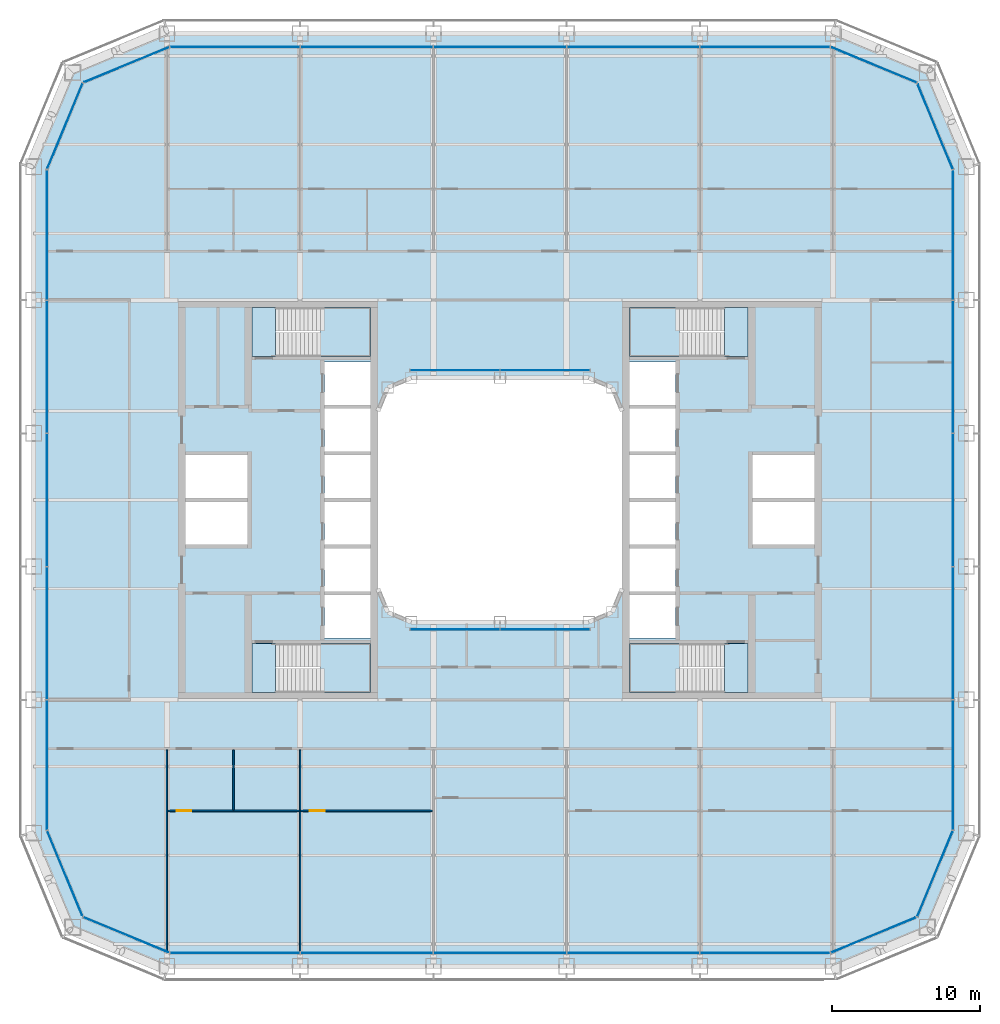
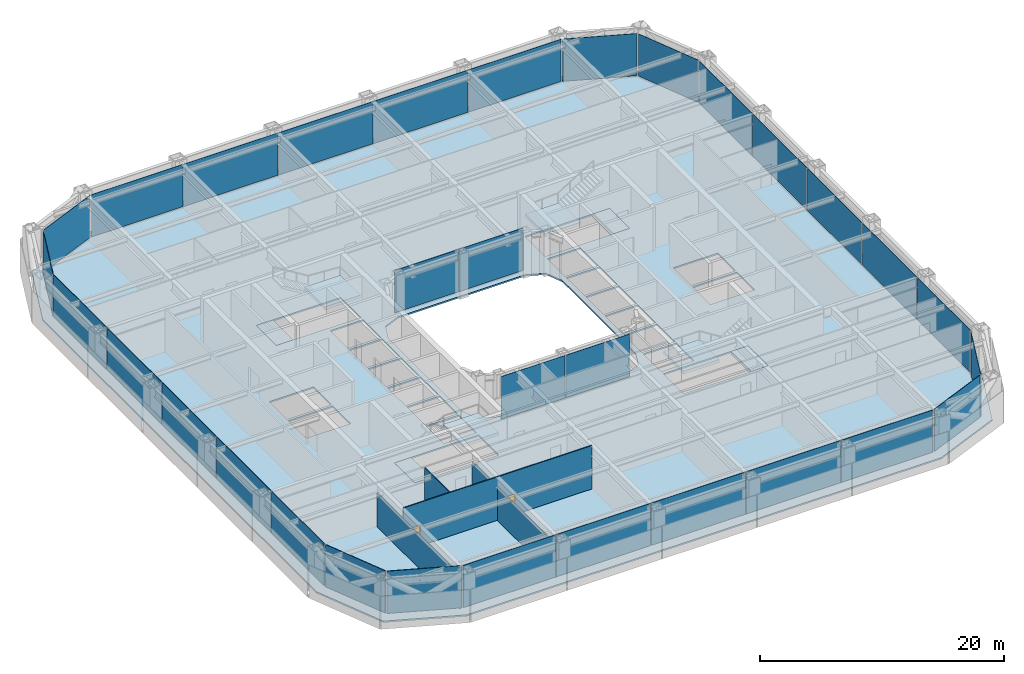
# One storey, part 11 of 24: 32 plates, 9 slabs, 5 walls, 2 doors, 2 openings, 18 elements without a shape of their own.
"""IFC4 building model written with IfcOpenShell, lengths in metres."""

import ifcopenshell
import ifcopenshell.guid

model = None  # the IFC model being written
_history = None  # IfcOwnerHistory: only IFC2X3 demands one
_inside = {}  # id of a spatial element -> (the spatial element, [elements in it])
_under = {}  # id of a project, library or spatial element -> (it, [spatial elements below it])
_declared = {}  # id of a project -> (the project, [libraries it declares])
_typed = {}  # id of a type object -> (the type object, [elements of that type])
_made_of = {}  # id of a material, layer set ... -> (it, [elements and type objects made of it])


def new_model(schema):
    """Start an empty IFC model of exactly this schema.

    Asked for "IFC4X3", IfcOpenShell would pick the latest addendum, in which some entities
    have other attributes; the version numbers below select the first issue.
    IFC2X3 requires an IfcOwnerHistory on every rooted entity: one is made here for all.
    """
    global model, _history
    if schema == "IFC4X3":
        model = ifcopenshell.file(schema_version=(4, 3, 0, 0))
    else:
        model = ifcopenshell.file(schema=schema)
    _inside.clear()
    _under.clear()
    _declared.clear()
    _typed.clear()
    _made_of.clear()
    _history = None
    if model.schema == "IFC2X3":
        org = make("IfcOrganization", Name="unknown")
        user = make(
            "IfcPersonAndOrganization",
            ThePerson=make("IfcPerson", FamilyName="unknown"),
            TheOrganization=org,
        )
        app = make(
            "IfcApplication",
            ApplicationDeveloper=org,
            Version="unknown",
            ApplicationFullName="unknown",
            ApplicationIdentifier="unknown",
        )
        _history = make(
            "IfcOwnerHistory",
            OwningUser=user,
            OwningApplication=app,
            ChangeAction="ADDED",
            CreationDate=0,
        )
    return model


def make(cls, **values):
    """One entity of the class cls with the attributes given. An attribute that is None is left unset."""
    return model.create_entity(
        cls, **{name: value for name, value in values.items() if value is not None}
    )


def rooted(cls, **values):
    """An entity with a GlobalId (a new one), such as an element, a storey or a relation."""
    return make(cls, GlobalId=ifcopenshell.guid.new(), OwnerHistory=_history, **values)


def si_unit(unit_type, name, prefix=None):
    """IfcSIUnit, for example si_unit("LENGTHUNIT", "METRE", prefix="MILLI")."""
    return make("IfcSIUnit", UnitType=unit_type, Prefix=prefix, Name=name)


def assignment(units):
    """IfcUnitAssignment: the units of a project."""
    return None if units is None else make("IfcUnitAssignment", Units=units)


def point(xyz):
    """IfcCartesianPoint."""
    return None if xyz is None else make("IfcCartesianPoint", Coordinates=xyz)


def direction(xyz):
    """IfcDirection."""
    return None if xyz is None else make("IfcDirection", DirectionRatios=xyz)


def frame(location, z_axis=None, x_axis=None):
    """IfcAxis2Placement3D, a coordinate frame: its origin and axes. An axis left out is left unset."""
    return make(
        "IfcAxis2Placement3D",
        Location=point(location),
        Axis=direction(z_axis),
        RefDirection=direction(x_axis),
    )


def frame_2d(location, x_axis=None):
    """IfcAxis2Placement2D, a coordinate frame in the plane: its origin and x axis."""
    return make(
        "IfcAxis2Placement2D", Location=point(location), RefDirection=direction(x_axis)
    )


def origin():
    """The frame at (0, 0, 0) with its axes left unset."""
    return frame((0.0, 0.0, 0.0))


def origin_2d():
    """The frame at (0, 0) in the plane with its x axis left unset."""
    return frame_2d((0.0, 0.0))


def place(relative_to, where):
    """IfcLocalPlacement: puts the frame where relative to a parent placement (None: the world)."""
    return make(
        "IfcLocalPlacement", PlacementRelTo=relative_to, RelativePlacement=where
    )


def context(
    kind, dimensions, precision=None, world=None, true_north=None, identifier=None
):
    """IfcGeometricRepresentationContext, for example the 3D "Model" context."""
    return make(
        "IfcGeometricRepresentationContext",
        ContextIdentifier=identifier,
        ContextType=kind,
        CoordinateSpaceDimension=dimensions,
        Precision=precision,
        WorldCoordinateSystem=world,
        TrueNorth=true_north,
    )


def subcontext(parent, identifier, kind, view, scale=None):
    """IfcGeometricRepresentationSubContext, for example "Body" below "Model"."""
    return make(
        "IfcGeometricRepresentationSubContext",
        ContextIdentifier=identifier,
        ContextType=kind,
        ParentContext=parent,
        TargetScale=scale,
        TargetView=view,
    )


def project(units=None, contexts=None):
    """IfcProject with its units and contexts."""
    return rooted(
        "IfcProject",
        Name="project",
        RepresentationContexts=contexts,
        UnitsInContext=assignment(units),
    )


def spatial(cls, under=None, at=None, **own):
    """A site, building, storey or space (cls), placed at a placement, below another one or the project."""
    s = rooted(cls, ObjectPlacement=at, **own)
    if under is not None:
        _under.setdefault(under.id(), (under, []))[1].append(s)
    return s


def polyline(points):
    """IfcPolyline through the points."""
    return make("IfcPolyline", Points=[point(p) for p in points])


def profile(cls, at=None, kind="AREA", **sizes):
    """A parametric profile (cls). Its sizes go by their IFC names, for example OverallWidth=200.0."""
    return make(cls, ProfileType=kind, Position=at, **sizes)


def rectangle(**sizes):
    """IfcRectangleProfileDef."""
    return profile("IfcRectangleProfileDef", **sizes)


def outline(outer, holes=None, kind="AREA"):
    """IfcArbitraryClosedProfileDef: a profile drawn as a closed curve; with holes, ...WithVoids."""
    if holes is None:
        return make("IfcArbitraryClosedProfileDef", ProfileType=kind, OuterCurve=outer)
    return make(
        "IfcArbitraryProfileDefWithVoids",
        ProfileType=kind,
        OuterCurve=outer,
        InnerCurves=holes,
    )


def extrude(swept, where, along, depth):
    """IfcExtrudedAreaSolid: the profile swept, set in the frame where, extruded along a direction by depth."""
    return make(
        "IfcExtrudedAreaSolid",
        SweptArea=swept,
        Position=where,
        ExtrudedDirection=direction(along),
        Depth=depth,
    )


def shape(context_of_items, identifier, shape_type, items):
    """IfcShapeRepresentation: the items that make up one representation, for example the "Body"."""
    return make(
        "IfcShapeRepresentation",
        ContextOfItems=context_of_items,
        RepresentationIdentifier=identifier,
        RepresentationType=shape_type,
        Items=items,
    )


def material(Name=None, Category=None):
    """IfcMaterial."""
    return make("IfcMaterial", Name=Name, Category=Category)


def layer(
    of_material, thickness, ventilated=None, Name=None, Category=None, Priority=None
):
    """IfcMaterialLayer: one layer of a wall or slab, of a material (None: an air gap)."""
    return make(
        "IfcMaterialLayer",
        Material=of_material,
        LayerThickness=thickness,
        IsVentilated=ventilated,
        Name=Name,
        Category=Category,
        Priority=Priority,
    )


def layer_set(layers, Name=None):
    """IfcMaterialLayerSet."""
    return make("IfcMaterialLayerSet", MaterialLayers=layers, LayerSetName=Name)


def made_of(thing, what):
    """Note that an element or type object is made of a material, layer set ...; save() writes the relation."""
    if what is not None:
        _made_of.setdefault(what.id(), (what, []))[1].append(thing)
    return thing


def type_object(cls, material=None, **own):
    """A type object (cls), such as IfcWallType, which elements share."""
    return made_of(rooted(cls, **own), material)


def element(
    cls,
    number,
    at=None,
    inside=None,
    cuts=None,
    type_object=None,
    material=None,
    context=None,
    identifier="Body",
    shape_type=None,
    held_by="IfcProductDefinitionShape",
    body=None,
    shapes=None,
    **own,
):
    """One element of the class cls, such as IfcWall. Its Tag is "e" and its number.

    at: its placement. inside: the storey or other place that contains it. cuts: it is an
    opening in that element (IfcRelVoidsElement). A single representation is given by context,
    identifier, shape_type and body (its items); several are given by shapes. held_by: the class
    of the entity that holds the representations. save() writes the other relations.
    """
    e = rooted(cls, Tag="e%d" % number, ObjectPlacement=at, **own)
    if body is not None:
        shapes = [shape(context, identifier, shape_type, body)]
    if shapes is not None:
        e.Representation = make(held_by, Representations=shapes)
    if inside is not None:
        _inside.setdefault(inside.id(), (inside, []))[1].append(e)
    if cuts is not None:
        rooted(
            "IfcRelVoidsElement", RelatingBuildingElement=cuts, RelatedOpeningElement=e
        )
    if type_object is not None:
        _typed.setdefault(type_object.id(), (type_object, []))[1].append(e)
    return made_of(e, material)


def fill(opening, filler):
    """IfcRelFillsElement: the door or window that sits in an opening."""
    return rooted(
        "IfcRelFillsElement",
        RelatingOpeningElement=opening,
        RelatedBuildingElement=filler,
    )


def aggregate(whole, parts):
    """IfcRelAggregates: a whole, such as a stair, and the parts it consists of."""
    return rooted("IfcRelAggregates", RelatingObject=whole, RelatedObjects=parts)


def save(model, path):
    """Write the relations noted so far, then the file.

    IfcRelAggregates (storeys below a building ...), IfcRelContainedInSpatialStructure (elements
    in a storey), IfcRelDefinesByType, IfcRelAssociatesMaterial and IfcRelDeclares: one each for
    every whole, place, type object, material and project.
    """
    for whole, parts in _under.values():
        aggregate(whole, parts)
    for where, things in _inside.values():
        rooted(
            "IfcRelContainedInSpatialStructure",
            RelatedElements=things,
            RelatingStructure=where,
        )
    for kind, things in _typed.values():
        rooted("IfcRelDefinesByType", RelatedObjects=things, RelatingType=kind)
    for what, things in _made_of.values():
        rooted("IfcRelAssociatesMaterial", RelatedObjects=things, RelatingMaterial=what)
    for by, libraries in _declared.values():
        rooted("IfcRelDeclares", RelatingContext=by, RelatedDefinitions=libraries)
    model.write(path)


model = new_model("IFC4")

# Units and contexts
model_context = context("Model", 3, precision=1e-05, world=origin(), true_north=direction((0.0, 1.0)))
body_context = subcontext(model_context, "Body", "Model", "MODEL_VIEW")
ifc_project = project(units=[si_unit("LENGTHUNIT", "METRE"), si_unit("AREAUNIT", "SQUARE_METRE"), si_unit("VOLUMEUNIT", "CUBIC_METRE"), si_unit("PLANEANGLEUNIT", "RADIAN"), si_unit("MASSUNIT", "GRAM", prefix="KILO")], contexts=[model_context])

# Site, building, storey
site_placement = place(None, origin())
site = spatial("IfcSite", under=ifc_project, at=site_placement, CompositionType="ELEMENT")
building_placement = place(site_placement, origin())
building = spatial("IfcBuilding", under=site, at=building_placement, Name="Siwar Civic Tower", CompositionType="ELEMENT")
storey_placement = place(building_placement, frame((0.0, 0.0, 40.199951171875)))
storey = spatial("IfcBuildingStorey", under=building, at=storey_placement, Name="L08", CompositionType="ELEMENT", Elevation=40.199951171875)

# Stair, slabs
ifc_material_1 = material(Name="Concrete C40/50", Category="concrete")
stair_type = type_object("IfcStairType", Name="CORE-STAIR", PredefinedType="TWO_STRAIGHT_RUN_STAIR", material=ifc_material_1)
stair_1_placement = place(storey_placement, origin())
stair_1 = element("IfcStair", 1, at=stair_1_placement, inside=storey, type_object=stair_type, Name="Exit stair ST1", PredefinedType="TWO_STRAIGHT_RUN_STAIR")
ifc_material_2 = material(Name="Concrete C40/50", Category="concrete")
ifc_layer_1 = layer(ifc_material_2, 0.300048828125)
ifc_layer_set_1 = layer_set([ifc_layer_1], Name="Concrete C40/50")
slab_type_1 = type_object("IfcSlabType", Name="CORE-STAIR-LANDING", PredefinedType="LANDING", material=ifc_layer_set_1)
slab_1_placement = place(storey_placement, frame((0.0, 0.0, -0.300048828125)))
slab_1 = element("IfcSlab", 2, at=slab_1_placement, type_object=slab_type_1, Name="ST1 landing 1", PredefinedType="LANDING", context=body_context, shape_type="SweptSolid", body=[
    extrude(outline(polyline([(-15.14990234375, 13.0), (-16.75, 13.0), (-16.75, 9.699951171875), (-15.14990234375, 9.699951171875), (-15.14990234375, 13.0)])), origin(), (0.0, 0.0, 1.0), 0.300048828125),
])
slab_2_placement = place(storey_placement, frame((0.0, 0.0, 1.949951171875)))
slab_2 = element("IfcSlab", 3, at=slab_2_placement, type_object=slab_type_1, Name="ST1 landing 2", PredefinedType="LANDING", context=body_context, shape_type="SweptSolid", body=[
    extrude(outline(polyline([(-8.75, 13.0), (-12.139892578125, 13.0), (-12.139892578125, 9.699951171875), (-8.75, 9.699951171875), (-8.75, 13.0)])), origin(), (0.0, 0.0, 1.0), 0.300048828125),
])
aggregate(stair_1, [slab_1, slab_2])

stair_2_placement = place(storey_placement, origin())
stair_2 = element("IfcStair", 4, at=stair_2_placement, inside=storey, type_object=stair_type, Name="Exit stair ST2", PredefinedType="TWO_STRAIGHT_RUN_STAIR")
slab_3_placement = place(storey_placement, frame((0.0, 0.0, -0.300048828125)))
slab_3 = element("IfcSlab", 5, at=slab_3_placement, type_object=slab_type_1, Name="ST2 landing 1", PredefinedType="LANDING", context=body_context, shape_type="SweptSolid", body=[
    extrude(outline(polyline([(-15.14990234375, -9.699951171875), (-16.75, -9.699951171875), (-16.75, -13.0), (-15.14990234375, -13.0), (-15.14990234375, -9.699951171875)])), origin(), (0.0, 0.0, 1.0), 0.300048828125),
])
slab_4_placement = place(storey_placement, frame((0.0, 0.0, 1.949951171875)))
slab_4 = element("IfcSlab", 6, at=slab_4_placement, type_object=slab_type_1, Name="ST2 landing 2", PredefinedType="LANDING", context=body_context, shape_type="SweptSolid", body=[
    extrude(outline(polyline([(-8.75, -9.699951171875), (-12.139892578125, -9.699951171875), (-12.139892578125, -13.0), (-8.75, -13.0), (-8.75, -9.699951171875)])), origin(), (0.0, 0.0, 1.0), 0.300048828125),
])
aggregate(stair_2, [slab_3, slab_4])

stair_3_placement = place(storey_placement, origin())
stair_3 = element("IfcStair", 7, at=stair_3_placement, inside=storey, type_object=stair_type, Name="Exit stair ST3", PredefinedType="TWO_STRAIGHT_RUN_STAIR")
slab_5_placement = place(storey_placement, frame((0.0, 0.0, -0.300048828125)))
slab_5 = element("IfcSlab", 8, at=slab_5_placement, type_object=slab_type_1, Name="ST3 landing 1", PredefinedType="LANDING", context=body_context, shape_type="SweptSolid", body=[
    extrude(outline(polyline([(15.14990234375, 9.699951171875), (16.75, 9.699951171875), (16.75, 13.0), (15.14990234375, 13.0), (15.14990234375, 9.699951171875)])), origin(), (0.0, 0.0, 1.0), 0.300048828125),
])
slab_6_placement = place(storey_placement, frame((0.0, 0.0, 1.949951171875)))
slab_6 = element("IfcSlab", 9, at=slab_6_placement, type_object=slab_type_1, Name="ST3 landing 2", PredefinedType="LANDING", context=body_context, shape_type="SweptSolid", body=[
    extrude(outline(polyline([(8.75, 9.699951171875), (12.139892578125, 9.699951171875), (12.139892578125, 13.0), (8.75, 13.0), (8.75, 9.699951171875)])), origin(), (0.0, 0.0, 1.0), 0.300048828125),
])
aggregate(stair_3, [slab_5, slab_6])

stair_4_placement = place(storey_placement, origin())
stair_4 = element("IfcStair", 10, at=stair_4_placement, inside=storey, type_object=stair_type, Name="Exit stair ST4", PredefinedType="TWO_STRAIGHT_RUN_STAIR")
slab_7_placement = place(storey_placement, frame((0.0, 0.0, -0.300048828125)))
slab_7 = element("IfcSlab", 11, at=slab_7_placement, type_object=slab_type_1, Name="ST4 landing 1", PredefinedType="LANDING", context=body_context, shape_type="SweptSolid", body=[
    extrude(outline(polyline([(15.14990234375, -13.0), (16.75, -13.0), (16.75, -9.699951171875), (15.14990234375, -9.699951171875), (15.14990234375, -13.0)])), origin(), (0.0, 0.0, 1.0), 0.300048828125),
])
slab_8_placement = place(storey_placement, frame((0.0, 0.0, 1.949951171875)))
slab_8 = element("IfcSlab", 12, at=slab_8_placement, type_object=slab_type_1, Name="ST4 landing 2", PredefinedType="LANDING", context=body_context, shape_type="SweptSolid", body=[
    extrude(outline(polyline([(8.75, -13.0), (12.139892578125, -13.0), (12.139892578125, -9.699951171875), (8.75, -9.699951171875), (8.75, -13.0)])), origin(), (0.0, 0.0, 1.0), 0.300048828125),
])
aggregate(stair_4, [slab_7, slab_8])

# Curtain wall, plates
ifc_material_3 = material(Name="Aluminium and glass", Category="aluminium")
ifc_layer_2 = layer(ifc_material_3, 0.219970703125)
ifc_layer_set_2 = layer_set([ifc_layer_2], Name="Aluminium and glass")
curtain_wall_type_1 = type_object("IfcCurtainWallType", Name="ENV-CW-A", PredefinedType="NOTDEFINED", material=ifc_layer_set_2)
curtain_wall_1_placement = place(storey_placement, origin())
curtain_wall_1 = element("IfcCurtainWall", 13, at=curtain_wall_1_placement, inside=storey, type_object=curtain_wall_type_1, Name="Curtain wall A S", PredefinedType="NOTDEFINED")
ifc_material_4 = material(Name="Glass clear laminated", Category="glass")
ifc_layer_3 = layer(ifc_material_4, 0.035888671875)
ifc_layer_set_3 = layer_set([ifc_layer_3], Name="Glass clear laminated")
plate_type_1 = type_object("IfcPlateType", Name="ENV-PANEL-A", PredefinedType="CURTAIN_PANEL", material=ifc_layer_set_3)
plate_1_placement = place(storey_placement, frame((-17.910400390625, -30.60009765625, 0.1201171875), z_axis=(0.0, 0.0, 1.0), x_axis=(1.0, 0.0, 0.0)))
plate_1 = element("IfcPlate", 14, at=plate_1_placement, type_object=plate_type_1, Name="Curtain panel A S 1", PredefinedType="CURTAIN_PANEL", context=body_context, shape_type="SweptSolid", body=[
    extrude(rectangle(XDim=8.7509765625, YDim=0.035888671875, at=origin_2d()), origin(), (0.0, 0.0, 1.0), 4.22998046875),
])
plate_2_placement = place(storey_placement, frame((-9.0, -30.60009765625, 0.1201171875), z_axis=(0.0, 0.0, 1.0), x_axis=(1.0, 0.0, 0.0)))
plate_2 = element("IfcPlate", 15, at=plate_2_placement, type_object=plate_type_1, Name="Curtain panel A S 2", PredefinedType="CURTAIN_PANEL", context=body_context, shape_type="SweptSolid", body=[
    extrude(rectangle(XDim=8.929931640625, YDim=0.035888671875, at=origin_2d()), origin(), (0.0, 0.0, 1.0), 4.22998046875),
])
plate_3_placement = place(storey_placement, frame((0.0, -30.60009765625, 0.1201171875), z_axis=(0.0, 0.0, 1.0), x_axis=(1.0, 0.0, 0.0)))
plate_3 = element("IfcPlate", 16, at=plate_3_placement, type_object=plate_type_1, Name="Curtain panel A S 3", PredefinedType="CURTAIN_PANEL", context=body_context, shape_type="SweptSolid", body=[
    extrude(rectangle(XDim=8.929931640625, YDim=0.035888671875, at=origin_2d()), origin(), (0.0, 0.0, 1.0), 4.22998046875),
])
plate_4_placement = place(storey_placement, frame((9.0, -30.60009765625, 0.1201171875), z_axis=(0.0, 0.0, 1.0), x_axis=(1.0, 0.0, 0.0)))
plate_4 = element("IfcPlate", 17, at=plate_4_placement, type_object=plate_type_1, Name="Curtain panel A S 4", PredefinedType="CURTAIN_PANEL", context=body_context, shape_type="SweptSolid", body=[
    extrude(rectangle(XDim=8.929931640625, YDim=0.035888671875, at=origin_2d()), origin(), (0.0, 0.0, 1.0), 4.22998046875),
])
plate_5_placement = place(storey_placement, frame((17.86669921875, -30.60009765625, 0.1201171875), z_axis=(0.0, 0.0, 1.0), x_axis=(1.0, 0.0, 0.0)))
plate_5 = element("IfcPlate", 18, at=plate_5_placement, type_object=plate_type_1, Name="Curtain panel A S 5", PredefinedType="CURTAIN_PANEL", context=body_context, shape_type="SweptSolid", body=[
    extrude(rectangle(XDim=8.663330078125, YDim=0.035888671875, at=origin_2d()), origin(), (0.0, 0.0, 1.0), 4.22998046875),
])
aggregate(curtain_wall_1, [plate_1, plate_2, plate_3, plate_4, plate_5])

curtain_wall_2_placement = place(storey_placement, origin())
curtain_wall_2 = element("IfcCurtainWall", 19, at=curtain_wall_2_placement, inside=storey, type_object=curtain_wall_type_1, Name="Curtain wall A E", PredefinedType="NOTDEFINED")
plate_6_placement = place(storey_placement, frame((30.60009765625, -17.910400390625, 0.1201171875), z_axis=(0.0, 0.0, 1.0), x_axis=(0.0, 1.0, 0.0)))
plate_6 = element("IfcPlate", 20, at=plate_6_placement, type_object=plate_type_1, Name="Curtain panel A E 1", PredefinedType="CURTAIN_PANEL", context=body_context, shape_type="SweptSolid", body=[
    extrude(rectangle(XDim=8.7509765625, YDim=0.035888671875, at=origin_2d()), origin(), (0.0, 0.0, 1.0), 4.22998046875),
])
plate_7_placement = place(storey_placement, frame((30.60009765625, -9.0, 0.1201171875), z_axis=(0.0, 0.0, 1.0), x_axis=(0.0, 1.0, 0.0)))
plate_7 = element("IfcPlate", 21, at=plate_7_placement, type_object=plate_type_1, Name="Curtain panel A E 2", PredefinedType="CURTAIN_PANEL", context=body_context, shape_type="SweptSolid", body=[
    extrude(rectangle(XDim=8.929931640625, YDim=0.035888671875, at=origin_2d()), origin(), (0.0, 0.0, 1.0), 4.22998046875),
])
plate_8_placement = place(storey_placement, frame((30.60009765625, 0.0, 0.1201171875), z_axis=(0.0, 0.0, 1.0), x_axis=(0.0, 1.0, 0.0)))
plate_8 = element("IfcPlate", 22, at=plate_8_placement, type_object=plate_type_1, Name="Curtain panel A E 3", PredefinedType="CURTAIN_PANEL", context=body_context, shape_type="SweptSolid", body=[
    extrude(rectangle(XDim=8.929931640625, YDim=0.035888671875, at=origin_2d()), origin(), (0.0, 0.0, 1.0), 4.22998046875),
])
plate_9_placement = place(storey_placement, frame((30.60009765625, 9.0, 0.1201171875), z_axis=(0.0, 0.0, 1.0), x_axis=(0.0, 1.0, 0.0)))
plate_9 = element("IfcPlate", 23, at=plate_9_placement, type_object=plate_type_1, Name="Curtain panel A E 4", PredefinedType="CURTAIN_PANEL", context=body_context, shape_type="SweptSolid", body=[
    extrude(rectangle(XDim=8.929931640625, YDim=0.035888671875, at=origin_2d()), origin(), (0.0, 0.0, 1.0), 4.22998046875),
])
plate_10_placement = place(storey_placement, frame((30.60009765625, 17.86669921875, 0.1201171875), z_axis=(0.0, 0.0, 1.0), x_axis=(0.0, 1.0, 0.0)))
plate_10 = element("IfcPlate", 24, at=plate_10_placement, type_object=plate_type_1, Name="Curtain panel A E 5", PredefinedType="CURTAIN_PANEL", context=body_context, shape_type="SweptSolid", body=[
    extrude(rectangle(XDim=8.663330078125, YDim=0.035888671875, at=origin_2d()), origin(), (0.0, 0.0, 1.0), 4.22998046875),
])
aggregate(curtain_wall_2, [plate_6, plate_7, plate_8, plate_9, plate_10])

curtain_wall_3_placement = place(storey_placement, origin())
curtain_wall_3 = element("IfcCurtainWall", 25, at=curtain_wall_3_placement, inside=storey, type_object=curtain_wall_type_1, Name="Curtain wall A N", PredefinedType="NOTDEFINED")
plate_11_placement = place(storey_placement, frame((17.910400390625, 30.60009765625, 0.1201171875), z_axis=(0.0, 0.0, 1.0), x_axis=(-1.0, 0.0, 0.0)))
plate_11 = element("IfcPlate", 26, at=plate_11_placement, type_object=plate_type_1, Name="Curtain panel A N 1", PredefinedType="CURTAIN_PANEL", context=body_context, shape_type="SweptSolid", body=[
    extrude(rectangle(XDim=8.7509765625, YDim=0.035888671875, at=origin_2d()), origin(), (0.0, 0.0, 1.0), 4.22998046875),
])
plate_12_placement = place(storey_placement, frame((9.0, 30.60009765625, 0.1201171875), z_axis=(0.0, 0.0, 1.0), x_axis=(-1.0, 0.0, 0.0)))
plate_12 = element("IfcPlate", 27, at=plate_12_placement, type_object=plate_type_1, Name="Curtain panel A N 2", PredefinedType="CURTAIN_PANEL", context=body_context, shape_type="SweptSolid", body=[
    extrude(rectangle(XDim=8.929931640625, YDim=0.035888671875, at=origin_2d()), origin(), (0.0, 0.0, 1.0), 4.22998046875),
])
plate_13_placement = place(storey_placement, frame((0.0, 30.60009765625, 0.1201171875), z_axis=(0.0, 0.0, 1.0), x_axis=(-1.0, 0.0, 0.0)))
plate_13 = element("IfcPlate", 28, at=plate_13_placement, type_object=plate_type_1, Name="Curtain panel A N 3", PredefinedType="CURTAIN_PANEL", context=body_context, shape_type="SweptSolid", body=[
    extrude(rectangle(XDim=8.929931640625, YDim=0.035888671875, at=origin_2d()), origin(), (0.0, 0.0, 1.0), 4.22998046875),
])
plate_14_placement = place(storey_placement, frame((-9.0, 30.60009765625, 0.1201171875), z_axis=(0.0, 0.0, 1.0), x_axis=(-1.0, 0.0, 0.0)))
plate_14 = element("IfcPlate", 29, at=plate_14_placement, type_object=plate_type_1, Name="Curtain panel A N 4", PredefinedType="CURTAIN_PANEL", context=body_context, shape_type="SweptSolid", body=[
    extrude(rectangle(XDim=8.929931640625, YDim=0.035888671875, at=origin_2d()), origin(), (0.0, 0.0, 1.0), 4.22998046875),
])
plate_15_placement = place(storey_placement, frame((-17.86669921875, 30.60009765625, 0.1201171875), z_axis=(0.0, 0.0, 1.0), x_axis=(-1.0, 0.0, 0.0)))
plate_15 = element("IfcPlate", 30, at=plate_15_placement, type_object=plate_type_1, Name="Curtain panel A N 5", PredefinedType="CURTAIN_PANEL", context=body_context, shape_type="SweptSolid", body=[
    extrude(rectangle(XDim=8.663330078125, YDim=0.035888671875, at=origin_2d()), origin(), (0.0, 0.0, 1.0), 4.22998046875),
])
aggregate(curtain_wall_3, [plate_11, plate_12, plate_13, plate_14, plate_15])

curtain_wall_4_placement = place(storey_placement, origin())
curtain_wall_4 = element("IfcCurtainWall", 31, at=curtain_wall_4_placement, inside=storey, type_object=curtain_wall_type_1, Name="Curtain wall A W", PredefinedType="NOTDEFINED")
plate_16_placement = place(storey_placement, frame((-30.60009765625, 17.910400390625, 0.1201171875), z_axis=(0.0, 0.0, 1.0), x_axis=(0.0, -1.0, 0.0)))
plate_16 = element("IfcPlate", 32, at=plate_16_placement, type_object=plate_type_1, Name="Curtain panel A W 1", PredefinedType="CURTAIN_PANEL", context=body_context, shape_type="SweptSolid", body=[
    extrude(rectangle(XDim=8.7509765625, YDim=0.035888671875, at=origin_2d()), origin(), (0.0, 0.0, 1.0), 4.22998046875),
])
plate_17_placement = place(storey_placement, frame((-30.60009765625, 9.0, 0.1201171875), z_axis=(0.0, 0.0, 1.0), x_axis=(0.0, -1.0, 0.0)))
plate_17 = element("IfcPlate", 33, at=plate_17_placement, type_object=plate_type_1, Name="Curtain panel A W 2", PredefinedType="CURTAIN_PANEL", context=body_context, shape_type="SweptSolid", body=[
    extrude(rectangle(XDim=8.929931640625, YDim=0.035888671875, at=origin_2d()), origin(), (0.0, 0.0, 1.0), 4.22998046875),
])
plate_18_placement = place(storey_placement, frame((-30.60009765625, 0.0, 0.1201171875), z_axis=(0.0, 0.0, 1.0), x_axis=(0.0, -1.0, 0.0)))
plate_18 = element("IfcPlate", 34, at=plate_18_placement, type_object=plate_type_1, Name="Curtain panel A W 3", PredefinedType="CURTAIN_PANEL", context=body_context, shape_type="SweptSolid", body=[
    extrude(rectangle(XDim=8.929931640625, YDim=0.035888671875, at=origin_2d()), origin(), (0.0, 0.0, 1.0), 4.22998046875),
])
plate_19_placement = place(storey_placement, frame((-30.60009765625, -9.0, 0.1201171875), z_axis=(0.0, 0.0, 1.0), x_axis=(0.0, -1.0, 0.0)))
plate_19 = element("IfcPlate", 35, at=plate_19_placement, type_object=plate_type_1, Name="Curtain panel A W 4", PredefinedType="CURTAIN_PANEL", context=body_context, shape_type="SweptSolid", body=[
    extrude(rectangle(XDim=8.929931640625, YDim=0.035888671875, at=origin_2d()), origin(), (0.0, 0.0, 1.0), 4.22998046875),
])
plate_20_placement = place(storey_placement, frame((-30.60009765625, -17.86669921875, 0.1201171875), z_axis=(0.0, 0.0, 1.0), x_axis=(0.0, -1.0, 0.0)))
plate_20 = element("IfcPlate", 36, at=plate_20_placement, type_object=plate_type_1, Name="Curtain panel A W 5", PredefinedType="CURTAIN_PANEL", context=body_context, shape_type="SweptSolid", body=[
    extrude(rectangle(XDim=8.663330078125, YDim=0.035888671875, at=origin_2d()), origin(), (0.0, 0.0, 1.0), 4.22998046875),
])
aggregate(curtain_wall_4, [plate_16, plate_17, plate_18, plate_19, plate_20])

# Curtain wall, plate
ifc_material_5 = material(Name="Aluminium clad insulated panel", Category="aluminium")
ifc_layer_4 = layer(ifc_material_5, 0.219970703125)
ifc_layer_set_4 = layer_set([ifc_layer_4], Name="Aluminium clad insulated panel")
curtain_wall_type_2 = type_object("IfcCurtainWallType", Name="ENV-CW-AX", PredefinedType="NOTDEFINED", material=ifc_layer_set_4)
curtain_wall_5_placement = place(storey_placement, origin())
curtain_wall_5 = element("IfcCurtainWall", 37, at=curtain_wall_5_placement, inside=storey, type_object=curtain_wall_type_2, Name="Curtain wall A SE1", PredefinedType="NOTDEFINED")
ifc_material_6 = material(Name="Aluminium clad insulated panel", Category="aluminium")
ifc_layer_5 = layer(ifc_material_6, 0.035888671875)
ifc_layer_set_5 = layer_set([ifc_layer_5], Name="Aluminium clad insulated panel")
plate_type_2 = type_object("IfcPlateType", Name="ENV-PANEL-AX", PredefinedType="CURTAIN_PANEL", material=ifc_layer_set_5)
plate_21_placement = place(storey_placement, frame((25.20751953125, -29.404296875, 0.1201171875), z_axis=(0.0, 0.0, 1.0), x_axis=(0.923879532511, 0.382683432365, 0.0)))
plate_21 = element("IfcPlate", 38, at=plate_21_placement, type_object=plate_type_2, Name="Curtain panel A SE1 1", PredefinedType="CURTAIN_PANEL", context=body_context, shape_type="SweptSolid", body=[
    extrude(rectangle(XDim=6.178955078125, YDim=0.035888671875, at=origin_2d()), origin(), (0.0, 0.0, 1.0), 4.22998046875),
])
aggregate(curtain_wall_5, [plate_21])

curtain_wall_6_placement = place(storey_placement, origin())
curtain_wall_6 = element("IfcCurtainWall", 39, at=curtain_wall_6_placement, inside=storey, type_object=curtain_wall_type_2, Name="Curtain wall A SE2", PredefinedType="NOTDEFINED")
plate_22_placement = place(storey_placement, frame((29.370849609375, -25.28857421875, 0.1201171875), z_axis=(0.0, 0.0, 1.0), x_axis=(0.382683432365, 0.923879532511, 0.0)))
plate_22 = element("IfcPlate", 40, at=plate_22_placement, type_object=plate_type_2, Name="Curtain panel A SE2 1", PredefinedType="CURTAIN_PANEL", context=body_context, shape_type="SweptSolid", body=[
    extrude(rectangle(XDim=6.178955078125, YDim=0.035888671875, at=origin_2d()), origin(), (0.0, 0.0, 1.0), 4.22998046875),
])
aggregate(curtain_wall_6, [plate_22])

curtain_wall_7_placement = place(storey_placement, origin())
curtain_wall_7 = element("IfcCurtainWall", 41, at=curtain_wall_7_placement, inside=storey, type_object=curtain_wall_type_2, Name="Curtain wall A NE1", PredefinedType="NOTDEFINED")
plate_23_placement = place(storey_placement, frame((29.404296875, 25.20751953125, 0.1201171875), z_axis=(0.0, 0.0, 1.0), x_axis=(-0.382683432365, 0.923879532511, 0.0)))
plate_23 = element("IfcPlate", 42, at=plate_23_placement, type_object=plate_type_2, Name="Curtain panel A NE1 1", PredefinedType="CURTAIN_PANEL", context=body_context, shape_type="SweptSolid", body=[
    extrude(rectangle(XDim=6.178955078125, YDim=0.035888671875, at=origin_2d()), origin(), (0.0, 0.0, 1.0), 4.22998046875),
])
aggregate(curtain_wall_7, [plate_23])

curtain_wall_8_placement = place(storey_placement, origin())
curtain_wall_8 = element("IfcCurtainWall", 43, at=curtain_wall_8_placement, inside=storey, type_object=curtain_wall_type_2, Name="Curtain wall A NE2", PredefinedType="NOTDEFINED")
plate_24_placement = place(storey_placement, frame((25.28857421875, 29.370849609375, 0.1201171875), z_axis=(0.0, 0.0, 1.0), x_axis=(-0.923879532511, 0.382683432365, 0.0)))
plate_24 = element("IfcPlate", 44, at=plate_24_placement, type_object=plate_type_2, Name="Curtain panel A NE2 1", PredefinedType="CURTAIN_PANEL", context=body_context, shape_type="SweptSolid", body=[
    extrude(rectangle(XDim=6.178955078125, YDim=0.035888671875, at=origin_2d()), origin(), (0.0, 0.0, 1.0), 4.22998046875),
])
aggregate(curtain_wall_8, [plate_24])

curtain_wall_9_placement = place(storey_placement, origin())
curtain_wall_9 = element("IfcCurtainWall", 45, at=curtain_wall_9_placement, inside=storey, type_object=curtain_wall_type_2, Name="Curtain wall A NW1", PredefinedType="NOTDEFINED")
plate_25_placement = place(storey_placement, frame((-25.20751953125, 29.404296875, 0.1201171875), z_axis=(0.0, 0.0, 1.0), x_axis=(-0.923879532511, -0.382683432365, 0.0)))
plate_25 = element("IfcPlate", 46, at=plate_25_placement, type_object=plate_type_2, Name="Curtain panel A NW1 1", PredefinedType="CURTAIN_PANEL", context=body_context, shape_type="SweptSolid", body=[
    extrude(rectangle(XDim=6.178955078125, YDim=0.035888671875, at=origin_2d()), origin(), (0.0, 0.0, 1.0), 4.22998046875),
])
aggregate(curtain_wall_9, [plate_25])

curtain_wall_10_placement = place(storey_placement, origin())
curtain_wall_10 = element("IfcCurtainWall", 47, at=curtain_wall_10_placement, inside=storey, type_object=curtain_wall_type_2, Name="Curtain wall A NW2", PredefinedType="NOTDEFINED")
plate_26_placement = place(storey_placement, frame((-29.370849609375, 25.28857421875, 0.1201171875), z_axis=(0.0, 0.0, 1.0), x_axis=(-0.382683432365, -0.923879532511, 0.0)))
plate_26 = element("IfcPlate", 48, at=plate_26_placement, type_object=plate_type_2, Name="Curtain panel A NW2 1", PredefinedType="CURTAIN_PANEL", context=body_context, shape_type="SweptSolid", body=[
    extrude(rectangle(XDim=6.178955078125, YDim=0.035888671875, at=origin_2d()), origin(), (0.0, 0.0, 1.0), 4.22998046875),
])
aggregate(curtain_wall_10, [plate_26])

curtain_wall_11_placement = place(storey_placement, origin())
curtain_wall_11 = element("IfcCurtainWall", 49, at=curtain_wall_11_placement, inside=storey, type_object=curtain_wall_type_2, Name="Curtain wall A SW1", PredefinedType="NOTDEFINED")
plate_27_placement = place(storey_placement, frame((-29.404296875, -25.20751953125, 0.1201171875), z_axis=(0.0, 0.0, 1.0), x_axis=(0.382683432365, -0.923879532511, 0.0)))
plate_27 = element("IfcPlate", 50, at=plate_27_placement, type_object=plate_type_2, Name="Curtain panel A SW1 1", PredefinedType="CURTAIN_PANEL", context=body_context, shape_type="SweptSolid", body=[
    extrude(rectangle(XDim=6.178955078125, YDim=0.035888671875, at=origin_2d()), origin(), (0.0, 0.0, 1.0), 4.22998046875),
])
aggregate(curtain_wall_11, [plate_27])

curtain_wall_12_placement = place(storey_placement, origin())
curtain_wall_12 = element("IfcCurtainWall", 51, at=curtain_wall_12_placement, inside=storey, type_object=curtain_wall_type_2, Name="Curtain wall A SW2", PredefinedType="NOTDEFINED")
plate_28_placement = place(storey_placement, frame((-25.28857421875, -29.370849609375, 0.1201171875), z_axis=(0.0, 0.0, 1.0), x_axis=(0.923879532511, -0.382683432365, 0.0)))
plate_28 = element("IfcPlate", 52, at=plate_28_placement, type_object=plate_type_2, Name="Curtain panel A SW2 1", PredefinedType="CURTAIN_PANEL", context=body_context, shape_type="SweptSolid", body=[
    extrude(rectangle(XDim=6.178955078125, YDim=0.035888671875, at=origin_2d()), origin(), (0.0, 0.0, 1.0), 4.22998046875),
])
aggregate(curtain_wall_12, [plate_28])

# Curtain wall, plates
ifc_material_7 = material(Name="Aluminium and glass", Category="aluminium")
ifc_layer_6 = layer(ifc_material_7, 0.179931640625)
ifc_layer_set_6 = layer_set([ifc_layer_6], Name="Aluminium and glass")
curtain_wall_type_3 = type_object("IfcCurtainWallType", Name="ENV-CW-W", PredefinedType="NOTDEFINED", material=ifc_layer_set_6)
curtain_wall_13_placement = place(storey_placement, origin())
curtain_wall_13 = element("IfcCurtainWall", 53, at=curtain_wall_13_placement, inside=storey, type_object=curtain_wall_type_3, Name="Curtain wall W WS", PredefinedType="NOTDEFINED")
ifc_material_8 = material(Name="Glass clear laminated", Category="glass")
ifc_layer_7 = layer(ifc_material_8, 0.031982421875)
ifc_layer_set_7 = layer_set([ifc_layer_7], Name="Glass clear laminated")
plate_type_3 = type_object("IfcPlateType", Name="ENV-PANEL-W", PredefinedType="CURTAIN_PANEL", material=ifc_layer_set_7)
plate_29_placement = place(storey_placement, frame((-3.05078125, -8.760009765625, 0.10009765625), z_axis=(0.0, 0.0, 1.0), x_axis=(1.0, 0.0, 0.0)))
plate_29 = element("IfcPlate", 54, at=plate_29_placement, type_object=plate_type_3, Name="Curtain panel W WS 1", PredefinedType="CURTAIN_PANEL", context=body_context, shape_type="SweptSolid", body=[
    extrude(rectangle(XDim=6.04150390625, YDim=0.031982421875, at=origin_2d()), origin(), (0.0, 0.0, 1.0), 4.25),
])
plate_30_placement = place(storey_placement, frame((3.05078125, -8.760009765625, 0.10009765625), z_axis=(0.0, 0.0, 1.0), x_axis=(1.0, 0.0, 0.0)))
plate_30 = element("IfcPlate", 55, at=plate_30_placement, type_object=plate_type_3, Name="Curtain panel W WS 2", PredefinedType="CURTAIN_PANEL", context=body_context, shape_type="SweptSolid", body=[
    extrude(rectangle(XDim=6.04150390625, YDim=0.031982421875, at=origin_2d()), origin(), (0.0, 0.0, 1.0), 4.25),
])
aggregate(curtain_wall_13, [plate_29, plate_30])

curtain_wall_14_placement = place(storey_placement, origin())
curtain_wall_14 = element("IfcCurtainWall", 56, at=curtain_wall_14_placement, inside=storey, type_object=curtain_wall_type_3, Name="Curtain wall W WN", PredefinedType="NOTDEFINED")
plate_31_placement = place(storey_placement, frame((3.05078125, 8.760009765625, 0.10009765625), z_axis=(0.0, 0.0, 1.0), x_axis=(-1.0, 0.0, 0.0)))
plate_31 = element("IfcPlate", 57, at=plate_31_placement, type_object=plate_type_3, Name="Curtain panel W WN 1", PredefinedType="CURTAIN_PANEL", context=body_context, shape_type="SweptSolid", body=[
    extrude(rectangle(XDim=6.04150390625, YDim=0.031982421875, at=origin_2d()), origin(), (0.0, 0.0, 1.0), 4.25),
])
plate_32_placement = place(storey_placement, frame((-3.05078125, 8.760009765625, 0.10009765625), z_axis=(0.0, 0.0, 1.0), x_axis=(-1.0, 0.0, 0.0)))
plate_32 = element("IfcPlate", 58, at=plate_32_placement, type_object=plate_type_3, Name="Curtain panel W WN 2", PredefinedType="CURTAIN_PANEL", context=body_context, shape_type="SweptSolid", body=[
    extrude(rectangle(XDim=6.04150390625, YDim=0.031982421875, at=origin_2d()), origin(), (0.0, 0.0, 1.0), 4.25),
])
aggregate(curtain_wall_14, [plate_31, plate_32])

# Slab
ifc_material_9 = material(Name="Concrete C40/50", Category="concrete")
ifc_layer_8 = layer(ifc_material_9, 0.14990234375)
ifc_layer_set_8 = layer_set([ifc_layer_8], Name="Concrete C40/50")
slab_type_2 = type_object("IfcSlabType", Name="STR-FLOOR-DECK-150", PredefinedType="FLOOR", material=ifc_layer_set_8)
slab_9_placement = place(storey_placement, frame((0.0, 0.0, -0.14990234375)))
element("IfcSlab", 59, at=slab_9_placement, inside=storey, type_object=slab_type_2, Name="L08/slab/1", PredefinedType="FLOOR", context=body_context, shape_type="SweptSolid", body=[
    extrude(outline(polyline([(-22.5, -31.5), (22.5, -31.5), (28.864013671875, -28.864013671875), (31.5, -22.5), (31.5, 22.5), (28.864013671875, 28.864013671875), (22.5, 31.5), (-22.5, 31.5), (-28.864013671875, 28.864013671875), (-31.5, 22.5), (-31.5, -22.5), (-28.864013671875, -28.864013671875), (-22.5, -31.5)]), holes=[polyline([(21.25, 3.02490234375), (21.25, 0.125), (17.050048828125, 0.125), (17.050048828125, 3.02490234375), (21.25, 3.02490234375)]), polyline([(17.050048828125, -0.125), (21.25, -0.125), (21.25, -3.02490234375), (17.050048828125, -3.02490234375), (17.050048828125, -0.125)]), polyline([(16.75, 13.0), (16.75, 9.699951171875), (8.75, 9.699951171875), (8.75, 13.0), (16.75, 13.0)]), polyline([(8.75, -9.699951171875), (16.75, -9.699951171875), (16.75, -13.0), (8.75, -13.0), (8.75, -9.699951171875)]), polyline([(11.85009765625, 9.324951171875), (11.85009765625, 6.425048828125), (8.75, 6.425048828125), (8.75, 9.324951171875), (11.85009765625, 9.324951171875)]), polyline([(11.85009765625, 3.02490234375), (11.85009765625, 0.125), (8.75, 0.125), (8.75, 3.02490234375), (11.85009765625, 3.02490234375)]), polyline([(11.85009765625, -0.125), (11.85009765625, -3.02490234375), (8.75, -3.02490234375), (8.75, -0.125), (11.85009765625, -0.125)]), polyline([(11.85009765625, -3.27490234375), (11.85009765625, -6.175048828125), (8.75, -6.175048828125), (8.75, -3.27490234375), (11.85009765625, -3.27490234375)]), polyline([(8.75, 6.175048828125), (11.85009765625, 6.175048828125), (11.85009765625, 3.27490234375), (8.75, 3.27490234375), (8.75, 6.175048828125)]), polyline([(8.75, -6.425048828125), (11.85009765625, -6.425048828125), (11.85009765625, -9.324951171875), (8.75, -9.324951171875), (8.75, -6.425048828125)]), polyline([(-6.0, 8.25), (6.0, 8.25), (7.591064453125, 7.591064453125), (8.25, 6.0), (8.25, -6.0), (7.591064453125, -7.591064453125), (6.0, -8.25), (-6.0, -8.25), (-7.591064453125, -7.591064453125), (-8.25, -6.0), (-8.25, 6.0), (-7.591064453125, 7.591064453125), (-6.0, 8.25)]), polyline([(-8.75, 9.699951171875), (-16.75, 9.699951171875), (-16.75, 13.0), (-8.75, 13.0), (-8.75, 9.699951171875)]), polyline([(-8.75, 0.125), (-11.85009765625, 0.125), (-11.85009765625, 3.02490234375), (-8.75, 3.02490234375), (-8.75, 0.125)]), polyline([(-8.75, -6.175048828125), (-11.85009765625, -6.175048828125), (-11.85009765625, -3.27490234375), (-8.75, -3.27490234375), (-8.75, -6.175048828125)]), polyline([(-8.75, -9.324951171875), (-11.85009765625, -9.324951171875), (-11.85009765625, -6.425048828125), (-8.75, -6.425048828125), (-8.75, -9.324951171875)]), polyline([(-8.75, -13.0), (-16.75, -13.0), (-16.75, -9.699951171875), (-8.75, -9.699951171875), (-8.75, -13.0)]), polyline([(-11.85009765625, 6.425048828125), (-11.85009765625, 9.324951171875), (-8.75, 9.324951171875), (-8.75, 6.425048828125), (-11.85009765625, 6.425048828125)]), polyline([(-11.85009765625, 3.27490234375), (-11.85009765625, 6.175048828125), (-8.75, 6.175048828125), (-8.75, 3.27490234375), (-11.85009765625, 3.27490234375)]), polyline([(-11.85009765625, -3.02490234375), (-11.85009765625, -0.125), (-8.75, -0.125), (-8.75, -3.02490234375), (-11.85009765625, -3.02490234375)]), polyline([(-21.25, -3.02490234375), (-21.25, -0.125), (-17.050048828125, -0.125), (-17.050048828125, -3.02490234375), (-21.25, -3.02490234375)]), polyline([(-17.050048828125, 0.125), (-21.25, 0.125), (-21.25, 3.02490234375), (-17.050048828125, 3.02490234375), (-17.050048828125, 0.125)])]), origin(), (0.0, 0.0, 1.0), 0.14990234375),
])

# Wall, openings, doors
ifc_material_10 = material(Name="Gypsum board on steel studs", Category="steel")
ifc_layer_9 = layer(ifc_material_10, 0.10009765625)
ifc_layer_set_9 = layer_set([ifc_layer_9], Name="Gypsum board on steel studs")
wall_type = type_object("IfcWallType", Name="PARTITION 100 GYPSUM", PredefinedType="PARTITIONING", material=ifc_layer_set_9)
wall_1_placement = place(storey_placement, frame((-22.449951171875, -21.0, 0.0), z_axis=(0.0, 0.0, 1.0), x_axis=(1.0, 0.0, 0.0)))
wall_1 = element("IfcWall", 60, at=wall_1_placement, inside=storey, type_object=wall_type, Name="L08/wall/P01", PredefinedType="PARTITIONING", context=body_context, shape_type="SweptSolid", body=[
    extrude(rectangle(XDim=17.89990234375, YDim=0.10009765625, at=frame_2d((8.949951171875, 0.0))), origin(), (0.0, 0.0, 1.0), 4.35009765625),
])
opening_1_placement = place(wall_1_placement, frame((0.60009765625, 0.0, 0.0)))
opening_1 = element("IfcOpeningElement", 61, at=opening_1_placement, cuts=wall_1, Name="Opening D2", PredefinedType="OPENING", context=body_context, shape_type="SweptSolid", body=[
    extrude(rectangle(XDim=1.0, YDim=2.10009765625, at=frame_2d((0.5, 1.050048828125))), frame((0.0, 0.06005859375, 0.0), z_axis=(0.0, -1.0, 0.0), x_axis=(1.0, 0.0, 0.0)), (0.0, 0.0, 1.0), 0.1201171875),
])
opening_2_placement = place(wall_1_placement, frame((9.60009765625, 0.0, 0.0)))
opening_2 = element("IfcOpeningElement", 62, at=opening_2_placement, cuts=wall_1, Name="Opening D2", PredefinedType="OPENING", context=body_context, shape_type="SweptSolid", body=[
    extrude(rectangle(XDim=1.0, YDim=2.10009765625, at=frame_2d((0.5, 1.050048828125))), frame((0.0, 0.06005859375, 0.0), z_axis=(0.0, -1.0, 0.0), x_axis=(1.0, 0.0, 0.0)), (0.0, 0.0, 1.0), 0.1201171875),
])
ifc_material_11 = material(Name="Timber, painted", Category="wood")
door_type = type_object("IfcDoorType", Name="DOOR 1000 X 2100", OperationType="SINGLE_SWING_LEFT", PredefinedType="DOOR", material=ifc_material_11)
door_1_placement = place(opening_1_placement, origin())
door_1 = element("IfcDoor", 63, at=door_1_placement, inside=storey, type_object=door_type, Name="L08-D15", OperationType="SINGLE_SWING_LEFT", OverallHeight=2.10009765625, OverallWidth=1.0, PredefinedType="DOOR", context=body_context, shape_type="SweptSolid", body=[
    extrude(rectangle(XDim=1.0, YDim=2.10009765625, at=frame_2d((0.5, 1.050048828125))), frame((0.0, 0.02490234375, 0.0), z_axis=(0.0, -1.0, 0.0), x_axis=(1.0, 0.0, 0.0)), (0.0, 0.0, 1.0), 0.050048828125),
])
fill(opening_1, door_1)
door_2_placement = place(opening_2_placement, origin())
door_2 = element("IfcDoor", 64, at=door_2_placement, inside=storey, type_object=door_type, Name="L08-D17", OperationType="SINGLE_SWING_LEFT", OverallHeight=2.10009765625, OverallWidth=1.0, PredefinedType="DOOR", context=body_context, shape_type="SweptSolid", body=[
    extrude(rectangle(XDim=1.0, YDim=2.10009765625, at=frame_2d((0.5, 1.050048828125))), frame((0.0, 0.02490234375, 0.0), z_axis=(0.0, -1.0, 0.0), x_axis=(1.0, 0.0, 0.0)), (0.0, 0.0, 1.0), 0.050048828125),
])
fill(opening_2, door_2)

# Walls
wall_2_placement = place(storey_placement, frame((-22.5, -30.427978515625, 0.0), z_axis=(0.0, 0.0, 1.0), x_axis=(0.0, 1.0, 0.0)))
element("IfcWall", 65, at=wall_2_placement, inside=storey, type_object=wall_type, Name="L08/wall/P17", PredefinedType="PARTITIONING", context=body_context, shape_type="SweptSolid", body=[
    extrude(rectangle(XDim=13.552978515625, YDim=0.10009765625, at=frame_2d((6.7763671875, 0.0))), origin(), (0.0, 0.0, 1.0), 3.35009765625),
])
wall_3_placement = place(storey_placement, frame((-18.0, -20.949951171875, 0.0), z_axis=(0.0, 0.0, 1.0), x_axis=(0.0, 1.0, 0.0)))
element("IfcWall", 66, at=wall_3_placement, inside=storey, type_object=wall_type, Name="L08/wall/P19", PredefinedType="PARTITIONING", context=body_context, shape_type="SweptSolid", body=[
    extrude(rectangle(XDim=4.074951171875, YDim=0.10009765625, at=frame_2d((2.03759765625, 0.0))), origin(), (0.0, 0.0, 1.0), 4.35009765625),
])
wall_4_placement = place(storey_placement, frame((-13.5, -30.510009765625, 0.0), z_axis=(0.0, 0.0, 1.0), x_axis=(0.0, 1.0, 0.0)))
element("IfcWall", 67, at=wall_4_placement, inside=storey, type_object=wall_type, Name="L08/wall/P21", PredefinedType="PARTITIONING", context=body_context, shape_type="SweptSolid", body=[
    extrude(rectangle(XDim=9.4599609375, YDim=0.10009765625, at=frame_2d((4.72998046875, 0.0))), origin(), (0.0, 0.0, 1.0), 3.35009765625),
])
wall_5_placement = place(storey_placement, frame((-13.5, -20.949951171875, 0.0), z_axis=(0.0, 0.0, 1.0), x_axis=(0.0, 1.0, 0.0)))
element("IfcWall", 68, at=wall_5_placement, inside=storey, type_object=wall_type, Name="L08/wall/P22", PredefinedType="PARTITIONING", context=body_context, shape_type="SweptSolid", body=[
    extrude(rectangle(XDim=4.074951171875, YDim=0.10009765625, at=frame_2d((2.03759765625, 0.0))), origin(), (0.0, 0.0, 1.0), 3.35009765625),
])

save(model, "model.ifc")
